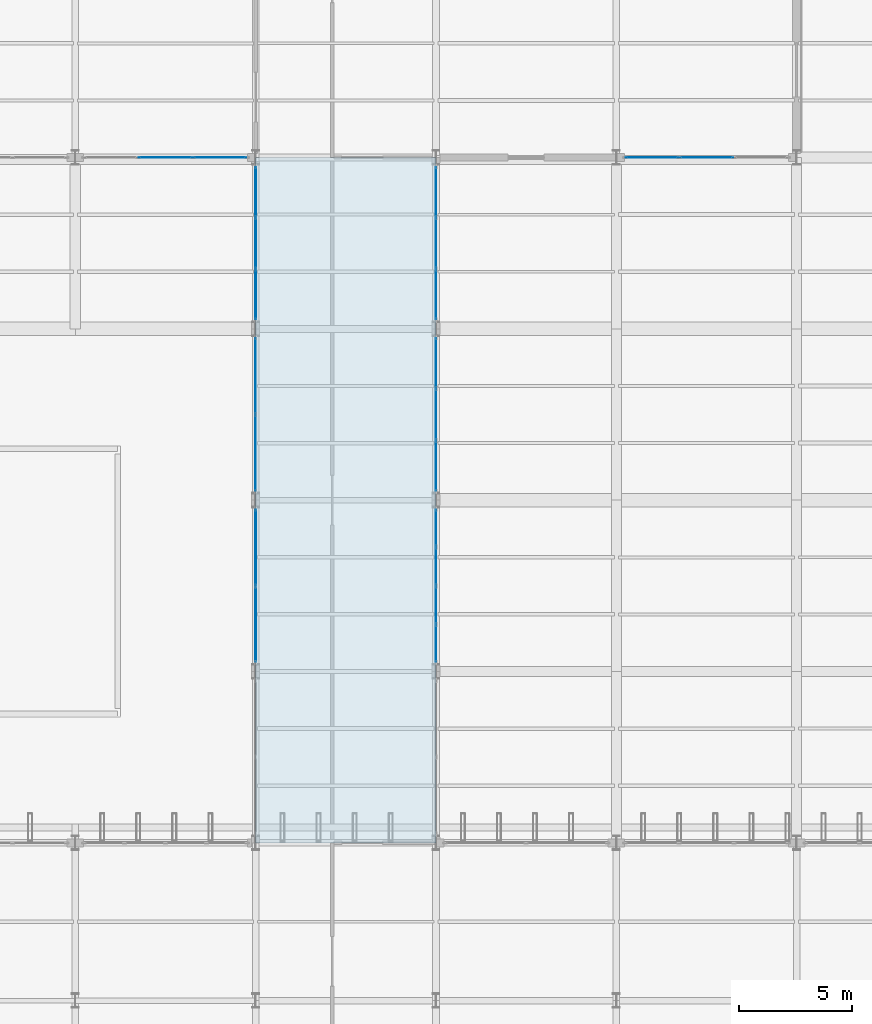
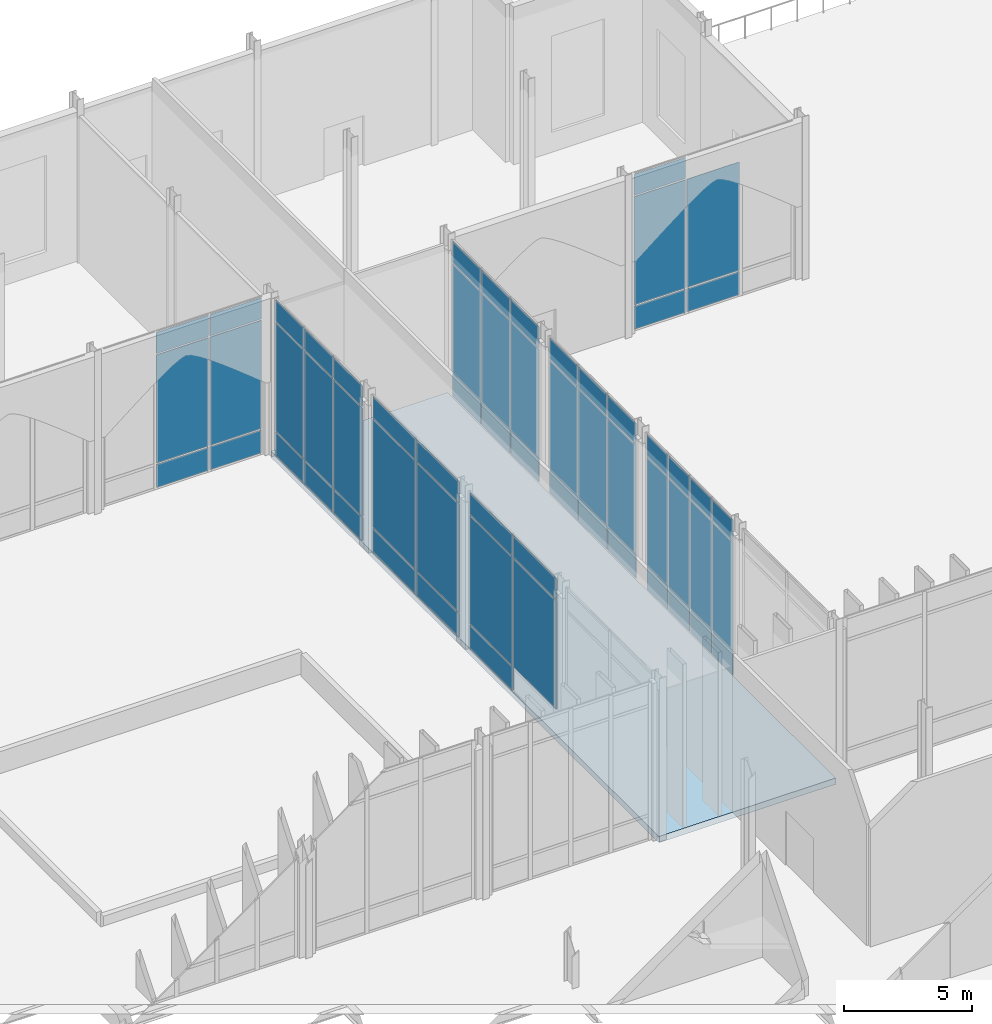
# One storey, part 121 of 176: 61 plates, 1 slab, 8 elements without a shape of their own.
"""IFC4 building model written with IfcOpenShell, lengths in metres."""

from ifc_helpers import new_model, si_unit, direction, frame, origin, origin_2d, place, context, subcontext, project, spatial, polyline, rectangle, outline, extrude, material, layer, layer_set, type_object, element, aggregate, save


model = new_model("IFC4")

# Units and contexts
model_context = context("Model", 3, precision=1e-05, world=origin(), true_north=direction((0.0, 1.0)))
body_context = subcontext(model_context, "Body", "Model", "MODEL_VIEW")
ifc_project = project(units=[si_unit("LENGTHUNIT", "METRE"), si_unit("AREAUNIT", "SQUARE_METRE"), si_unit("VOLUMEUNIT", "CUBIC_METRE"), si_unit("PLANEANGLEUNIT", "RADIAN"), si_unit("MASSUNIT", "GRAM", prefix="KILO")], contexts=[model_context])

# Site, building, storey
site_placement = place(None, origin())
site = spatial("IfcSite", under=ifc_project, at=site_placement, CompositionType="ELEMENT")
building_placement = place(site_placement, origin())
building = spatial("IfcBuilding", under=site, at=building_placement, Name="Vekula Escarpment Museum", CompositionType="ELEMENT")
storey_placement = place(building_placement, origin())
storey = spatial("IfcBuildingStorey", under=building, at=storey_placement, Name="L01", CompositionType="ELEMENT", Elevation=0.0)

# Curtain wall, plates
ifc_material_1 = material(Name="Aluminium thermally broken framing", Category="aluminium")
ifc_layer_1 = layer(ifc_material_1, 0.159912109375)
ifc_layer_set_1 = layer_set([ifc_layer_1], Name="Aluminium thermally broken framing")
curtain_wall_type_1 = type_object("IfcCurtainWallType", Name="CW-SYS-02", PredefinedType="NOTDEFINED", material=ifc_layer_set_1)
curtain_wall_1_placement = place(storey_placement, origin())
curtain_wall_1 = element("IfcCurtainWall", 1, at=curtain_wall_1_placement, inside=storey, type_object=curtain_wall_type_1, Name="Curtain Wall CW-L01-032", PredefinedType="NOTDEFINED")
ifc_material_2 = material(Name="Double solar-control low-E glass", Category="glass")
ifc_layer_2 = layer(ifc_material_2, 0.028076171875)
ifc_layer_set_2 = layer_set([ifc_layer_2], Name="Double solar-control low-E glass")
plate_type_1 = type_object("IfcPlateType", Name="CW-PNL-28", PredefinedType="CURTAIN_PANEL", material=ifc_layer_set_2)
plate_1_placement = place(storey_placement, frame((111.589599609375, 120.800048828125, 0.06494140625), z_axis=(0.0, 0.0, 1.0), x_axis=(1.0, 0.0, 0.0)))
plate_1 = element("IfcPlate", 2, at=plate_1_placement, type_object=plate_type_1, Name="CW-02 panel 1.1", PredefinedType="CURTAIN_PANEL", context=body_context, shape_type="SweptSolid", body=[
    extrude(rectangle(XDim=2.3291015625, YDim=0.028076171875, at=origin_2d()), origin(), (0.0, 0.0, 1.0), 1.1025390625),
])
plate_2_placement = place(storey_placement, frame((111.589599609375, 120.800048828125, 1.232421875), z_axis=(0.0, 0.0, 1.0), x_axis=(1.0, 0.0, 0.0)))
plate_2 = element("IfcPlate", 3, at=plate_2_placement, type_object=plate_type_1, Name="CW-02 panel 1.2", PredefinedType="CURTAIN_PANEL", context=body_context, shape_type="SweptSolid", body=[
    extrude(rectangle(XDim=2.3291015625, YDim=0.028076171875, at=origin_2d()), origin(), (0.0, 0.0, 1.0), 5.175048828125),
])
plate_3_placement = place(storey_placement, frame((111.589599609375, 120.800048828125, 6.472412109375), z_axis=(0.0, 0.0, 1.0), x_axis=(1.0, 0.0, 0.0)))
plate_3 = element("IfcPlate", 4, at=plate_3_placement, type_object=plate_type_1, Name="CW-02 panel 1.3", PredefinedType="CURTAIN_PANEL", context=body_context, shape_type="SweptSolid", body=[
    extrude(rectangle(XDim=2.3291015625, YDim=0.028076171875, at=origin_2d()), origin(), (0.0, 0.0, 1.0), 1.00244140625),
])
plate_4_placement = place(storey_placement, frame((114.0, 120.800048828125, 0.06494140625), z_axis=(0.0, 0.0, 1.0), x_axis=(1.0, 0.0, 0.0)))
plate_4 = element("IfcPlate", 5, at=plate_4_placement, type_object=plate_type_1, Name="CW-02 panel 2.1", PredefinedType="CURTAIN_PANEL", context=body_context, shape_type="SweptSolid", body=[
    extrude(rectangle(XDim=2.361572265625, YDim=0.028076171875, at=origin_2d()), origin(), (0.0, 0.0, 1.0), 1.1025390625),
])
plate_5_placement = place(storey_placement, frame((114.0, 120.800048828125, 1.232421875), z_axis=(0.0, 0.0, 1.0), x_axis=(1.0, 0.0, 0.0)))
plate_5 = element("IfcPlate", 6, at=plate_5_placement, type_object=plate_type_1, Name="CW-02 panel 2.2", PredefinedType="CURTAIN_PANEL", context=body_context, shape_type="SweptSolid", body=[
    extrude(rectangle(XDim=2.361572265625, YDim=0.028076171875, at=origin_2d()), origin(), (0.0, 0.0, 1.0), 5.175048828125),
])
aggregate(curtain_wall_1, [plate_1, plate_2, plate_3, plate_4, plate_5])

ifc_material_3 = material(Name="Aluminium thermally broken framing", Category="aluminium")
ifc_layer_3 = layer(ifc_material_3, 0.139892578125)
ifc_layer_set_3 = layer_set([ifc_layer_3], Name="Aluminium thermally broken framing")
curtain_wall_type_2 = type_object("IfcCurtainWallType", Name="CW-SYS-06", PredefinedType="NOTDEFINED", material=ifc_layer_set_3)
curtain_wall_2_placement = place(storey_placement, origin())
curtain_wall_2 = element("IfcCurtainWall", 7, at=curtain_wall_2_placement, inside=storey, type_object=curtain_wall_type_2, Name="Curtain Wall CW-L01-036", PredefinedType="NOTDEFINED")
plate_6_placement = place(storey_placement, frame((94.0, 111.103759765625, 0.06494140625), z_axis=(0.0, 0.0, 1.0), x_axis=(0.0, -1.0, 0.0)))
plate_6 = element("IfcPlate", 8, at=plate_6_placement, type_object=plate_type_1, Name="CW-06 panel 1.1", PredefinedType="CURTAIN_PANEL", context=body_context, shape_type="SweptSolid", body=[
    extrude(rectangle(XDim=3.342529296875, YDim=0.028076171875, at=origin_2d()), origin(), (0.0, 0.0, 1.0), 1.1025390625),
])
plate_7_placement = place(storey_placement, frame((94.0, 111.103759765625, 1.232421875), z_axis=(0.0, 0.0, 1.0), x_axis=(0.0, -1.0, 0.0)))
plate_7 = element("IfcPlate", 9, at=plate_7_placement, type_object=plate_type_1, Name="CW-06 panel 1.2", PredefinedType="CURTAIN_PANEL", context=body_context, shape_type="SweptSolid", body=[
    extrude(rectangle(XDim=3.342529296875, YDim=0.028076171875, at=origin_2d()), origin(), (0.0, 0.0, 1.0), 5.175048828125),
])
plate_8_placement = place(storey_placement, frame((94.0, 111.103759765625, 6.472412109375), z_axis=(0.0, 0.0, 1.0), x_axis=(0.0, -1.0, 0.0)))
plate_8 = element("IfcPlate", 10, at=plate_8_placement, type_object=plate_type_1, Name="CW-06 panel 1.3", PredefinedType="CURTAIN_PANEL", context=body_context, shape_type="SweptSolid", body=[
    extrude(rectangle(XDim=3.342529296875, YDim=0.028076171875, at=origin_2d()), origin(), (0.0, 0.0, 1.0), 1.00244140625),
])
plate_9_placement = place(storey_placement, frame((94.0, 107.6962890625, 0.06494140625), z_axis=(0.0, 0.0, 1.0), x_axis=(0.0, -1.0, 0.0)))
plate_9 = element("IfcPlate", 11, at=plate_9_placement, type_object=plate_type_1, Name="CW-06 panel 2.1", PredefinedType="CURTAIN_PANEL", context=body_context, shape_type="SweptSolid", body=[
    extrude(rectangle(XDim=3.342529296875, YDim=0.028076171875, at=origin_2d()), origin(), (0.0, 0.0, 1.0), 1.1025390625),
])
plate_10_placement = place(storey_placement, frame((94.0, 107.6962890625, 1.232421875), z_axis=(0.0, 0.0, 1.0), x_axis=(0.0, -1.0, 0.0)))
plate_10 = element("IfcPlate", 12, at=plate_10_placement, type_object=plate_type_1, Name="CW-06 panel 2.2", PredefinedType="CURTAIN_PANEL", context=body_context, shape_type="SweptSolid", body=[
    extrude(rectangle(XDim=3.342529296875, YDim=0.028076171875, at=origin_2d()), origin(), (0.0, 0.0, 1.0), 5.175048828125),
])
plate_11_placement = place(storey_placement, frame((94.0, 107.6962890625, 6.472412109375), z_axis=(0.0, 0.0, 1.0), x_axis=(0.0, -1.0, 0.0)))
plate_11 = element("IfcPlate", 13, at=plate_11_placement, type_object=plate_type_1, Name="CW-06 panel 2.3", PredefinedType="CURTAIN_PANEL", context=body_context, shape_type="SweptSolid", body=[
    extrude(rectangle(XDim=3.342529296875, YDim=0.028076171875, at=origin_2d()), origin(), (0.0, 0.0, 1.0), 1.00244140625),
])
aggregate(curtain_wall_2, [plate_6, plate_7, plate_8, plate_9, plate_10, plate_11])

ifc_material_4 = material(Name="Aluminium thermally broken framing", Category="aluminium")
ifc_layer_4 = layer(ifc_material_4, 0.14990234375)
ifc_layer_set_4 = layer_set([ifc_layer_4], Name="Aluminium thermally broken framing")
curtain_wall_type_3 = type_object("IfcCurtainWallType", Name="CW-SYS-09", PredefinedType="NOTDEFINED", material=ifc_layer_set_4)
curtain_wall_3_placement = place(storey_placement, origin())
curtain_wall_3 = element("IfcCurtainWall", 14, at=curtain_wall_3_placement, inside=storey, type_object=curtain_wall_type_3, Name="Curtain Wall CW-L01-029", PredefinedType="NOTDEFINED")
ifc_material_5 = material(Name="Acoustic laminated double low-E glass", Category="glass")
ifc_layer_5 = layer(ifc_material_5, 0.031982421875)
ifc_layer_set_5 = layer_set([ifc_layer_5], Name="Acoustic laminated double low-E glass")
plate_type_2 = type_object("IfcPlateType", Name="CW-PNL-32", PredefinedType="CURTAIN_PANEL", material=ifc_layer_set_5)
plate_12_placement = place(storey_placement, frame((102.0, 99.236328125, 0.06494140625), z_axis=(0.0, 0.0, 1.0), x_axis=(0.0, 1.0, 0.0)))
plate_12 = element("IfcPlate", 15, at=plate_12_placement, type_object=plate_type_2, Name="CW-09 panel 1.1", PredefinedType="CURTAIN_PANEL", context=body_context, shape_type="SweptSolid", body=[
    extrude(rectangle(XDim=1.62255859375, YDim=0.031982421875, at=origin_2d()), origin(), (0.0, 0.0, 1.0), 1.1025390625),
])
plate_13_placement = place(storey_placement, frame((102.0, 99.236328125, 1.232421875), z_axis=(0.0, 0.0, 1.0), x_axis=(0.0, 1.0, 0.0)))
plate_13 = element("IfcPlate", 16, at=plate_13_placement, type_object=plate_type_2, Name="CW-09 panel 1.2", PredefinedType="CURTAIN_PANEL", context=body_context, shape_type="SweptSolid", body=[
    extrude(rectangle(XDim=1.62255859375, YDim=0.031982421875, at=origin_2d()), origin(), (0.0, 0.0, 1.0), 5.175048828125),
])
plate_14_placement = place(storey_placement, frame((102.0, 99.236328125, 6.472412109375), z_axis=(0.0, 0.0, 1.0), x_axis=(0.0, 1.0, 0.0)))
plate_14 = element("IfcPlate", 17, at=plate_14_placement, type_object=plate_type_2, Name="CW-09 panel 1.3", PredefinedType="CURTAIN_PANEL", context=body_context, shape_type="SweptSolid", body=[
    extrude(rectangle(XDim=1.62255859375, YDim=0.031982421875, at=origin_2d()), origin(), (0.0, 0.0, 1.0), 1.00244140625),
])
plate_15_placement = place(storey_placement, frame((102.0, 100.93994140625, 0.06494140625), z_axis=(0.0, 0.0, 1.0), x_axis=(0.0, 1.0, 0.0)))
plate_15 = element("IfcPlate", 18, at=plate_15_placement, type_object=plate_type_2, Name="CW-09 panel 2.1", PredefinedType="CURTAIN_PANEL", context=body_context, shape_type="SweptSolid", body=[
    extrude(rectangle(XDim=1.655029296875, YDim=0.031982421875, at=origin_2d()), origin(), (0.0, 0.0, 1.0), 1.1025390625),
])
plate_16_placement = place(storey_placement, frame((102.0, 100.93994140625, 1.232421875), z_axis=(0.0, 0.0, 1.0), x_axis=(0.0, 1.0, 0.0)))
plate_16 = element("IfcPlate", 19, at=plate_16_placement, type_object=plate_type_2, Name="CW-09 panel 2.2", PredefinedType="CURTAIN_PANEL", context=body_context, shape_type="SweptSolid", body=[
    extrude(rectangle(XDim=1.655029296875, YDim=0.031982421875, at=origin_2d()), origin(), (0.0, 0.0, 1.0), 5.175048828125),
])
plate_17_placement = place(storey_placement, frame((102.0, 100.93994140625, 6.472412109375), z_axis=(0.0, 0.0, 1.0), x_axis=(0.0, 1.0, 0.0)))
plate_17 = element("IfcPlate", 20, at=plate_17_placement, type_object=plate_type_2, Name="CW-09 panel 2.3", PredefinedType="CURTAIN_PANEL", context=body_context, shape_type="SweptSolid", body=[
    extrude(rectangle(XDim=1.655029296875, YDim=0.031982421875, at=origin_2d()), origin(), (0.0, 0.0, 1.0), 1.00244140625),
])
plate_18_placement = place(storey_placement, frame((102.0, 102.659912109375, 0.06494140625), z_axis=(0.0, 0.0, 1.0), x_axis=(0.0, 1.0, 0.0)))
plate_18 = element("IfcPlate", 21, at=plate_18_placement, type_object=plate_type_2, Name="CW-09 panel 3.1", PredefinedType="CURTAIN_PANEL", context=body_context, shape_type="SweptSolid", body=[
    extrude(rectangle(XDim=1.655029296875, YDim=0.031982421875, at=origin_2d()), origin(), (0.0, 0.0, 1.0), 1.1025390625),
])
plate_19_placement = place(storey_placement, frame((102.0, 102.659912109375, 1.232421875), z_axis=(0.0, 0.0, 1.0), x_axis=(0.0, 1.0, 0.0)))
plate_19 = element("IfcPlate", 22, at=plate_19_placement, type_object=plate_type_2, Name="CW-09 panel 3.2", PredefinedType="CURTAIN_PANEL", context=body_context, shape_type="SweptSolid", body=[
    extrude(rectangle(XDim=1.655029296875, YDim=0.031982421875, at=origin_2d()), origin(), (0.0, 0.0, 1.0), 5.175048828125),
])
plate_20_placement = place(storey_placement, frame((102.0, 102.659912109375, 6.472412109375), z_axis=(0.0, 0.0, 1.0), x_axis=(0.0, 1.0, 0.0)))
plate_20 = element("IfcPlate", 23, at=plate_20_placement, type_object=plate_type_2, Name="CW-09 panel 3.3", PredefinedType="CURTAIN_PANEL", context=body_context, shape_type="SweptSolid", body=[
    extrude(rectangle(XDim=1.655029296875, YDim=0.031982421875, at=origin_2d()), origin(), (0.0, 0.0, 1.0), 1.00244140625),
])
plate_21_placement = place(storey_placement, frame((102.0, 104.36376953125, 0.06494140625), z_axis=(0.0, 0.0, 1.0), x_axis=(0.0, 1.0, 0.0)))
plate_21 = element("IfcPlate", 24, at=plate_21_placement, type_object=plate_type_2, Name="CW-09 panel 4.1", PredefinedType="CURTAIN_PANEL", context=body_context, shape_type="SweptSolid", body=[
    extrude(rectangle(XDim=1.62255859375, YDim=0.031982421875, at=origin_2d()), origin(), (0.0, 0.0, 1.0), 1.1025390625),
])
plate_22_placement = place(storey_placement, frame((102.0, 104.36376953125, 1.232421875), z_axis=(0.0, 0.0, 1.0), x_axis=(0.0, 1.0, 0.0)))
plate_22 = element("IfcPlate", 25, at=plate_22_placement, type_object=plate_type_2, Name="CW-09 panel 4.2", PredefinedType="CURTAIN_PANEL", context=body_context, shape_type="SweptSolid", body=[
    extrude(rectangle(XDim=1.62255859375, YDim=0.031982421875, at=origin_2d()), origin(), (0.0, 0.0, 1.0), 5.175048828125),
])
plate_23_placement = place(storey_placement, frame((102.0, 104.36376953125, 6.472412109375), z_axis=(0.0, 0.0, 1.0), x_axis=(0.0, 1.0, 0.0)))
plate_23 = element("IfcPlate", 26, at=plate_23_placement, type_object=plate_type_2, Name="CW-09 panel 4.3", PredefinedType="CURTAIN_PANEL", context=body_context, shape_type="SweptSolid", body=[
    extrude(rectangle(XDim=1.62255859375, YDim=0.031982421875, at=origin_2d()), origin(), (0.0, 0.0, 1.0), 1.00244140625),
])
aggregate(curtain_wall_3, [plate_12, plate_13, plate_14, plate_15, plate_16, plate_17, plate_18, plate_19, plate_20, plate_21, plate_22, plate_23])

ifc_material_6 = material(Name="Aluminium thermally broken framing", Category="aluminium")
ifc_layer_6 = layer(ifc_material_6, 0.179931640625)
ifc_layer_set_6 = layer_set([ifc_layer_6], Name="Aluminium thermally broken framing")
curtain_wall_type_4 = type_object("IfcCurtainWallType", Name="CW-SYS-07", PredefinedType="NOTDEFINED", material=ifc_layer_set_6)
curtain_wall_4_placement = place(storey_placement, origin())
curtain_wall_4 = element("IfcCurtainWall", 27, at=curtain_wall_4_placement, inside=storey, type_object=curtain_wall_type_4, Name="Curtain Wall CW-L01-037", PredefinedType="NOTDEFINED")
plate_24_placement = place(storey_placement, frame((94.0, 103.503662109375, 0.06494140625), z_axis=(0.0, 0.0, 1.0), x_axis=(0.0, -1.0, 0.0)))
plate_24 = element("IfcPlate", 28, at=plate_24_placement, type_object=plate_type_2, Name="CW-07 panel 1.1", PredefinedType="CURTAIN_PANEL", context=body_context, shape_type="SweptSolid", body=[
    extrude(rectangle(XDim=3.342529296875, YDim=0.031982421875, at=origin_2d()), origin(), (0.0, 0.0, 1.0), 1.1025390625),
])
plate_25_placement = place(storey_placement, frame((94.0, 103.503662109375, 1.232421875), z_axis=(0.0, 0.0, 1.0), x_axis=(0.0, -1.0, 0.0)))
plate_25 = element("IfcPlate", 29, at=plate_25_placement, type_object=plate_type_2, Name="CW-07 panel 1.2", PredefinedType="CURTAIN_PANEL", context=body_context, shape_type="SweptSolid", body=[
    extrude(rectangle(XDim=3.342529296875, YDim=0.031982421875, at=origin_2d()), origin(), (0.0, 0.0, 1.0), 5.175048828125),
])
plate_26_placement = place(storey_placement, frame((94.0, 103.503662109375, 6.472412109375), z_axis=(0.0, 0.0, 1.0), x_axis=(0.0, -1.0, 0.0)))
plate_26 = element("IfcPlate", 30, at=plate_26_placement, type_object=plate_type_2, Name="CW-07 panel 1.3", PredefinedType="CURTAIN_PANEL", context=body_context, shape_type="SweptSolid", body=[
    extrude(rectangle(XDim=3.342529296875, YDim=0.031982421875, at=origin_2d()), origin(), (0.0, 0.0, 1.0), 1.00244140625),
])
plate_27_placement = place(storey_placement, frame((94.0, 100.09619140625, 1.232421875), z_axis=(0.0, 0.0, 1.0), x_axis=(0.0, -1.0, 0.0)))
plate_27 = element("IfcPlate", 31, at=plate_27_placement, type_object=plate_type_2, Name="CW-07 panel 2.2", PredefinedType="CURTAIN_PANEL", context=body_context, shape_type="SweptSolid", body=[
    extrude(rectangle(XDim=3.342529296875, YDim=0.031982421875, at=origin_2d()), origin(), (0.0, 0.0, 1.0), 5.175048828125),
])
plate_28_placement = place(storey_placement, frame((94.0, 100.09619140625, 6.472412109375), z_axis=(0.0, 0.0, 1.0), x_axis=(0.0, -1.0, 0.0)))
plate_28 = element("IfcPlate", 32, at=plate_28_placement, type_object=plate_type_2, Name="CW-07 panel 2.3", PredefinedType="CURTAIN_PANEL", context=body_context, shape_type="SweptSolid", body=[
    extrude(rectangle(XDim=3.342529296875, YDim=0.031982421875, at=origin_2d()), origin(), (0.0, 0.0, 1.0), 1.00244140625),
])
aggregate(curtain_wall_4, [plate_24, plate_25, plate_26, plate_27, plate_28])

ifc_material_7 = material(Name="Aluminium thermally broken framing", Category="aluminium")
ifc_layer_7 = layer(ifc_material_7, 0.169921875)
ifc_layer_set_7 = layer_set([ifc_layer_7], Name="Aluminium thermally broken framing")
curtain_wall_type_5 = type_object("IfcCurtainWallType", Name="CW-SYS-10", PredefinedType="NOTDEFINED", material=ifc_layer_set_7)
curtain_wall_5_placement = place(storey_placement, origin())
curtain_wall_5 = element("IfcCurtainWall", 33, at=curtain_wall_5_placement, inside=storey, type_object=curtain_wall_type_5, Name="Curtain Wall CW-L01-030", PredefinedType="NOTDEFINED")
ifc_material_8 = material(Name="Triple UV-filtered museum gallery glass", Category="glass")
ifc_layer_8 = layer(ifc_material_8, 0.035888671875)
ifc_layer_set_8 = layer_set([ifc_layer_8], Name="Triple UV-filtered museum gallery glass")
plate_type_3 = type_object("IfcPlateType", Name="CW-PNL-36", PredefinedType="CURTAIN_PANEL", material=ifc_layer_set_8)
plate_29_placement = place(storey_placement, frame((102.0, 107.122802734375, 0.06494140625), z_axis=(0.0, 0.0, 1.0), x_axis=(0.0, 1.0, 0.0)))
plate_29 = element("IfcPlate", 34, at=plate_29_placement, type_object=plate_type_3, Name="CW-10 panel 1.1", PredefinedType="CURTAIN_PANEL", context=body_context, shape_type="SweptSolid", body=[
    extrude(rectangle(XDim=2.19580078125, YDim=0.035888671875, at=origin_2d()), origin(), (0.0, 0.0, 1.0), 1.1025390625),
])
plate_30_placement = place(storey_placement, frame((102.0, 107.122802734375, 1.232421875), z_axis=(0.0, 0.0, 1.0), x_axis=(0.0, 1.0, 0.0)))
plate_30 = element("IfcPlate", 35, at=plate_30_placement, type_object=plate_type_3, Name="CW-10 panel 1.2", PredefinedType="CURTAIN_PANEL", context=body_context, shape_type="SweptSolid", body=[
    extrude(rectangle(XDim=2.19580078125, YDim=0.035888671875, at=origin_2d()), origin(), (0.0, 0.0, 1.0), 5.175048828125),
])
plate_31_placement = place(storey_placement, frame((102.0, 107.122802734375, 6.472412109375), z_axis=(0.0, 0.0, 1.0), x_axis=(0.0, 1.0, 0.0)))
plate_31 = element("IfcPlate", 36, at=plate_31_placement, type_object=plate_type_3, Name="CW-10 panel 1.3", PredefinedType="CURTAIN_PANEL", context=body_context, shape_type="SweptSolid", body=[
    extrude(rectangle(XDim=2.19580078125, YDim=0.035888671875, at=origin_2d()), origin(), (0.0, 0.0, 1.0), 1.00244140625),
])
plate_32_placement = place(storey_placement, frame((102.0, 109.39990234375, 0.06494140625), z_axis=(0.0, 0.0, 1.0), x_axis=(0.0, 1.0, 0.0)))
plate_32 = element("IfcPlate", 37, at=plate_32_placement, type_object=plate_type_3, Name="CW-10 panel 2.1", PredefinedType="CURTAIN_PANEL", context=body_context, shape_type="SweptSolid", body=[
    extrude(rectangle(XDim=2.228271484375, YDim=0.035888671875, at=origin_2d()), origin(), (0.0, 0.0, 1.0), 1.1025390625),
])
plate_33_placement = place(storey_placement, frame((102.0, 109.39990234375, 1.232421875), z_axis=(0.0, 0.0, 1.0), x_axis=(0.0, 1.0, 0.0)))
plate_33 = element("IfcPlate", 38, at=plate_33_placement, type_object=plate_type_3, Name="CW-10 panel 2.2", PredefinedType="CURTAIN_PANEL", context=body_context, shape_type="SweptSolid", body=[
    extrude(rectangle(XDim=2.228271484375, YDim=0.035888671875, at=origin_2d()), origin(), (0.0, 0.0, 1.0), 5.175048828125),
])
plate_34_placement = place(storey_placement, frame((102.0, 109.39990234375, 6.472412109375), z_axis=(0.0, 0.0, 1.0), x_axis=(0.0, 1.0, 0.0)))
plate_34 = element("IfcPlate", 39, at=plate_34_placement, type_object=plate_type_3, Name="CW-10 panel 2.3", PredefinedType="CURTAIN_PANEL", context=body_context, shape_type="SweptSolid", body=[
    extrude(rectangle(XDim=2.228271484375, YDim=0.035888671875, at=origin_2d()), origin(), (0.0, 0.0, 1.0), 1.00244140625),
])
plate_35_placement = place(storey_placement, frame((102.0, 111.677001953125, 0.06494140625), z_axis=(0.0, 0.0, 1.0), x_axis=(0.0, 1.0, 0.0)))
plate_35 = element("IfcPlate", 40, at=plate_35_placement, type_object=plate_type_3, Name="CW-10 panel 3.1", PredefinedType="CURTAIN_PANEL", context=body_context, shape_type="SweptSolid", body=[
    extrude(rectangle(XDim=2.19580078125, YDim=0.035888671875, at=origin_2d()), origin(), (0.0, 0.0, 1.0), 1.1025390625),
])
plate_36_placement = place(storey_placement, frame((102.0, 111.677001953125, 1.232421875), z_axis=(0.0, 0.0, 1.0), x_axis=(0.0, 1.0, 0.0)))
plate_36 = element("IfcPlate", 41, at=plate_36_placement, type_object=plate_type_3, Name="CW-10 panel 3.2", PredefinedType="CURTAIN_PANEL", context=body_context, shape_type="SweptSolid", body=[
    extrude(rectangle(XDim=2.19580078125, YDim=0.035888671875, at=origin_2d()), origin(), (0.0, 0.0, 1.0), 5.175048828125),
])
plate_37_placement = place(storey_placement, frame((102.0, 111.677001953125, 6.472412109375), z_axis=(0.0, 0.0, 1.0), x_axis=(0.0, 1.0, 0.0)))
plate_37 = element("IfcPlate", 42, at=plate_37_placement, type_object=plate_type_3, Name="CW-10 panel 3.3", PredefinedType="CURTAIN_PANEL", context=body_context, shape_type="SweptSolid", body=[
    extrude(rectangle(XDim=2.19580078125, YDim=0.035888671875, at=origin_2d()), origin(), (0.0, 0.0, 1.0), 1.00244140625),
])
aggregate(curtain_wall_5, [plate_29, plate_30, plate_31, plate_32, plate_33, plate_34, plate_35, plate_36, plate_37])

ifc_material_9 = material(Name="Aluminium thermally broken framing", Category="aluminium")
ifc_layer_9 = layer(ifc_material_9, 0.199951171875)
ifc_layer_set_9 = layer_set([ifc_layer_9], Name="Aluminium thermally broken framing")
curtain_wall_type_6 = type_object("IfcCurtainWallType", Name="CW-SYS-04", PredefinedType="NOTDEFINED", material=ifc_layer_set_9)
curtain_wall_6_placement = place(storey_placement, origin())
curtain_wall_6 = element("IfcCurtainWall", 43, at=curtain_wall_6_placement, inside=storey, type_object=curtain_wall_type_6, Name="Curtain Wall CW-L01-034", PredefinedType="NOTDEFINED")
plate_38_placement = place(storey_placement, frame((90.0, 120.800048828125, 0.06494140625), z_axis=(0.0, 0.0, 1.0), x_axis=(1.0, 0.0, 0.0)))
plate_38 = element("IfcPlate", 44, at=plate_38_placement, type_object=plate_type_3, Name="CW-04 panel 2.1", PredefinedType="CURTAIN_PANEL", context=body_context, shape_type="SweptSolid", body=[
    extrude(rectangle(XDim=2.361572265625, YDim=0.035888671875, at=origin_2d()), origin(), (0.0, 0.0, 1.0), 1.1025390625),
])
plate_39_placement = place(storey_placement, frame((90.0, 120.800048828125, 1.232421875), z_axis=(0.0, 0.0, 1.0), x_axis=(1.0, 0.0, 0.0)))
plate_39 = element("IfcPlate", 45, at=plate_39_placement, type_object=plate_type_3, Name="CW-04 panel 2.2", PredefinedType="CURTAIN_PANEL", context=body_context, shape_type="SweptSolid", body=[
    extrude(rectangle(XDim=2.361572265625, YDim=0.035888671875, at=origin_2d()), origin(), (0.0, 0.0, 1.0), 5.175048828125),
])
plate_40_placement = place(storey_placement, frame((90.0, 120.800048828125, 6.472412109375), z_axis=(0.0, 0.0, 1.0), x_axis=(1.0, 0.0, 0.0)))
plate_40 = element("IfcPlate", 46, at=plate_40_placement, type_object=plate_type_3, Name="CW-04 panel 2.3", PredefinedType="CURTAIN_PANEL", context=body_context, shape_type="SweptSolid", body=[
    extrude(rectangle(XDim=2.361572265625, YDim=0.035888671875, at=origin_2d()), origin(), (0.0, 0.0, 1.0), 1.00244140625),
])
plate_41_placement = place(storey_placement, frame((92.410400390625, 120.800048828125, 0.06494140625), z_axis=(0.0, 0.0, 1.0), x_axis=(1.0, 0.0, 0.0)))
plate_41 = element("IfcPlate", 47, at=plate_41_placement, type_object=plate_type_3, Name="CW-04 panel 3.1", PredefinedType="CURTAIN_PANEL", context=body_context, shape_type="SweptSolid", body=[
    extrude(rectangle(XDim=2.3291015625, YDim=0.035888671875, at=origin_2d()), origin(), (0.0, 0.0, 1.0), 1.1025390625),
])
plate_42_placement = place(storey_placement, frame((92.410400390625, 120.800048828125, 1.232421875), z_axis=(0.0, 0.0, 1.0), x_axis=(1.0, 0.0, 0.0)))
plate_42 = element("IfcPlate", 48, at=plate_42_placement, type_object=plate_type_3, Name="CW-04 panel 3.2", PredefinedType="CURTAIN_PANEL", context=body_context, shape_type="SweptSolid", body=[
    extrude(rectangle(XDim=2.3291015625, YDim=0.035888671875, at=origin_2d()), origin(), (0.0, 0.0, 1.0), 5.175048828125),
])
plate_43_placement = place(storey_placement, frame((92.410400390625, 120.800048828125, 6.472412109375), z_axis=(0.0, 0.0, 1.0), x_axis=(1.0, 0.0, 0.0)))
plate_43 = element("IfcPlate", 49, at=plate_43_placement, type_object=plate_type_3, Name="CW-04 panel 3.3", PredefinedType="CURTAIN_PANEL", context=body_context, shape_type="SweptSolid", body=[
    extrude(rectangle(XDim=2.3291015625, YDim=0.035888671875, at=origin_2d()), origin(), (0.0, 0.0, 1.0), 1.00244140625),
])
aggregate(curtain_wall_6, [plate_38, plate_39, plate_40, plate_41, plate_42, plate_43])

ifc_material_10 = material(Name="Aluminium thermally broken framing", Category="aluminium")
ifc_layer_10 = layer(ifc_material_10, 0.159912109375)
ifc_layer_set_10 = layer_set([ifc_layer_10], Name="Aluminium thermally broken framing")
curtain_wall_type_7 = type_object("IfcCurtainWallType", Name="CW-SYS-01", PredefinedType="NOTDEFINED", material=ifc_layer_set_10)
curtain_wall_7_placement = place(storey_placement, origin())
curtain_wall_7 = element("IfcCurtainWall", 50, at=curtain_wall_7_placement, inside=storey, type_object=curtain_wall_type_7, Name="Curtain Wall CW-L01-031", PredefinedType="NOTDEFINED")
ifc_material_11 = material(Name="Insulated bronze spandrel glass panel", Category="glass")
ifc_layer_11 = layer(ifc_material_11, 0.0400390625)
ifc_layer_set_11 = layer_set([ifc_layer_11], Name="Insulated bronze spandrel glass panel")
plate_type_4 = type_object("IfcPlateType", Name="CW-PNL-40", PredefinedType="CURTAIN_PANEL", material=ifc_layer_set_11)
plate_44_placement = place(storey_placement, frame((102.0, 114.722900390625, 0.06494140625), z_axis=(0.0, 0.0, 1.0), x_axis=(0.0, 1.0, 0.0)))
plate_44 = element("IfcPlate", 51, at=plate_44_placement, type_object=plate_type_4, Name="CW-01 panel 1.1", PredefinedType="CURTAIN_PANEL", context=body_context, shape_type="SweptSolid", body=[
    extrude(rectangle(XDim=2.19580078125, YDim=0.0400390625, at=origin_2d()), origin(), (0.0, 0.0, 1.0), 1.1025390625),
])
plate_45_placement = place(storey_placement, frame((102.0, 114.722900390625, 1.232421875), z_axis=(0.0, 0.0, 1.0), x_axis=(0.0, 1.0, 0.0)))
plate_45 = element("IfcPlate", 52, at=plate_45_placement, type_object=plate_type_4, Name="CW-01 panel 1.2", PredefinedType="CURTAIN_PANEL", context=body_context, shape_type="SweptSolid", body=[
    extrude(rectangle(XDim=2.19580078125, YDim=0.0400390625, at=origin_2d()), origin(), (0.0, 0.0, 1.0), 5.175048828125),
])
plate_46_placement = place(storey_placement, frame((102.0, 114.722900390625, 6.472412109375), z_axis=(0.0, 0.0, 1.0), x_axis=(0.0, 1.0, 0.0)))
plate_46 = element("IfcPlate", 53, at=plate_46_placement, type_object=plate_type_4, Name="CW-01 panel 1.3", PredefinedType="CURTAIN_PANEL", context=body_context, shape_type="SweptSolid", body=[
    extrude(rectangle(XDim=2.19580078125, YDim=0.0400390625, at=origin_2d()), origin(), (0.0, 0.0, 1.0), 1.00244140625),
])
plate_47_placement = place(storey_placement, frame((102.0, 117.0, 0.06494140625), z_axis=(0.0, 0.0, 1.0), x_axis=(0.0, 1.0, 0.0)))
plate_47 = element("IfcPlate", 54, at=plate_47_placement, type_object=plate_type_4, Name="CW-01 panel 2.1", PredefinedType="CURTAIN_PANEL", context=body_context, shape_type="SweptSolid", body=[
    extrude(rectangle(XDim=2.228271484375, YDim=0.0400390625, at=origin_2d()), origin(), (0.0, 0.0, 1.0), 1.1025390625),
])
plate_48_placement = place(storey_placement, frame((102.0, 117.0, 1.232421875), z_axis=(0.0, 0.0, 1.0), x_axis=(0.0, 1.0, 0.0)))
plate_48 = element("IfcPlate", 55, at=plate_48_placement, type_object=plate_type_4, Name="CW-01 panel 2.2", PredefinedType="CURTAIN_PANEL", context=body_context, shape_type="SweptSolid", body=[
    extrude(rectangle(XDim=2.228271484375, YDim=0.0400390625, at=origin_2d()), origin(), (0.0, 0.0, 1.0), 5.175048828125),
])
plate_49_placement = place(storey_placement, frame((102.0, 117.0, 6.472412109375), z_axis=(0.0, 0.0, 1.0), x_axis=(0.0, 1.0, 0.0)))
plate_49 = element("IfcPlate", 56, at=plate_49_placement, type_object=plate_type_4, Name="CW-01 panel 2.3", PredefinedType="CURTAIN_PANEL", context=body_context, shape_type="SweptSolid", body=[
    extrude(rectangle(XDim=2.228271484375, YDim=0.0400390625, at=origin_2d()), origin(), (0.0, 0.0, 1.0), 1.00244140625),
])
plate_50_placement = place(storey_placement, frame((102.0, 119.277099609375, 0.06494140625), z_axis=(0.0, 0.0, 1.0), x_axis=(0.0, 1.0, 0.0)))
plate_50 = element("IfcPlate", 57, at=plate_50_placement, type_object=plate_type_4, Name="CW-01 panel 3.1", PredefinedType="CURTAIN_PANEL", context=body_context, shape_type="SweptSolid", body=[
    extrude(rectangle(XDim=2.19580078125, YDim=0.0400390625, at=origin_2d()), origin(), (0.0, 0.0, 1.0), 1.1025390625),
])
plate_51_placement = place(storey_placement, frame((102.0, 119.277099609375, 1.232421875), z_axis=(0.0, 0.0, 1.0), x_axis=(0.0, 1.0, 0.0)))
plate_51 = element("IfcPlate", 58, at=plate_51_placement, type_object=plate_type_4, Name="CW-01 panel 3.2", PredefinedType="CURTAIN_PANEL", context=body_context, shape_type="SweptSolid", body=[
    extrude(rectangle(XDim=2.19580078125, YDim=0.0400390625, at=origin_2d()), origin(), (0.0, 0.0, 1.0), 5.175048828125),
])
plate_52_placement = place(storey_placement, frame((102.0, 119.277099609375, 6.472412109375), z_axis=(0.0, 0.0, 1.0), x_axis=(0.0, 1.0, 0.0)))
plate_52 = element("IfcPlate", 59, at=plate_52_placement, type_object=plate_type_4, Name="CW-01 panel 3.3", PredefinedType="CURTAIN_PANEL", context=body_context, shape_type="SweptSolid", body=[
    extrude(rectangle(XDim=2.19580078125, YDim=0.0400390625, at=origin_2d()), origin(), (0.0, 0.0, 1.0), 1.00244140625),
])
aggregate(curtain_wall_7, [plate_44, plate_45, plate_46, plate_47, plate_48, plate_49, plate_50, plate_51, plate_52])

ifc_material_12 = material(Name="Aluminium thermally broken framing", Category="aluminium")
ifc_layer_12 = layer(ifc_material_12, 0.159912109375)
ifc_layer_set_12 = layer_set([ifc_layer_12], Name="Aluminium thermally broken framing")
curtain_wall_type_8 = type_object("IfcCurtainWallType", Name="CW-SYS-05", PredefinedType="NOTDEFINED", material=ifc_layer_set_12)
curtain_wall_8_placement = place(storey_placement, origin())
curtain_wall_8 = element("IfcCurtainWall", 60, at=curtain_wall_8_placement, inside=storey, type_object=curtain_wall_type_8, Name="Curtain Wall CW-L01-035", PredefinedType="NOTDEFINED")
plate_53_placement = place(storey_placement, frame((94.0, 119.277099609375, 0.06494140625), z_axis=(0.0, 0.0, 1.0), x_axis=(0.0, -1.0, 0.0)))
plate_53 = element("IfcPlate", 61, at=plate_53_placement, type_object=plate_type_4, Name="CW-05 panel 1.1", PredefinedType="CURTAIN_PANEL", context=body_context, shape_type="SweptSolid", body=[
    extrude(rectangle(XDim=2.19580078125, YDim=0.0400390625, at=origin_2d()), origin(), (0.0, 0.0, 1.0), 1.1025390625),
])
plate_54_placement = place(storey_placement, frame((94.0, 119.277099609375, 1.232421875), z_axis=(0.0, 0.0, 1.0), x_axis=(0.0, -1.0, 0.0)))
plate_54 = element("IfcPlate", 62, at=plate_54_placement, type_object=plate_type_4, Name="CW-05 panel 1.2", PredefinedType="CURTAIN_PANEL", context=body_context, shape_type="SweptSolid", body=[
    extrude(rectangle(XDim=2.19580078125, YDim=0.0400390625, at=origin_2d()), origin(), (0.0, 0.0, 1.0), 5.175048828125),
])
plate_55_placement = place(storey_placement, frame((94.0, 119.277099609375, 6.472412109375), z_axis=(0.0, 0.0, 1.0), x_axis=(0.0, -1.0, 0.0)))
plate_55 = element("IfcPlate", 63, at=plate_55_placement, type_object=plate_type_4, Name="CW-05 panel 1.3", PredefinedType="CURTAIN_PANEL", context=body_context, shape_type="SweptSolid", body=[
    extrude(rectangle(XDim=2.19580078125, YDim=0.0400390625, at=origin_2d()), origin(), (0.0, 0.0, 1.0), 1.00244140625),
])
plate_56_placement = place(storey_placement, frame((94.0, 117.0, 0.06494140625), z_axis=(0.0, 0.0, 1.0), x_axis=(0.0, -1.0, 0.0)))
plate_56 = element("IfcPlate", 64, at=plate_56_placement, type_object=plate_type_4, Name="CW-05 panel 2.1", PredefinedType="CURTAIN_PANEL", context=body_context, shape_type="SweptSolid", body=[
    extrude(rectangle(XDim=2.228271484375, YDim=0.0400390625, at=origin_2d()), origin(), (0.0, 0.0, 1.0), 1.1025390625),
])
plate_57_placement = place(storey_placement, frame((94.0, 117.0, 1.232421875), z_axis=(0.0, 0.0, 1.0), x_axis=(0.0, -1.0, 0.0)))
plate_57 = element("IfcPlate", 65, at=plate_57_placement, type_object=plate_type_4, Name="CW-05 panel 2.2", PredefinedType="CURTAIN_PANEL", context=body_context, shape_type="SweptSolid", body=[
    extrude(rectangle(XDim=2.228271484375, YDim=0.0400390625, at=origin_2d()), origin(), (0.0, 0.0, 1.0), 5.175048828125),
])
plate_58_placement = place(storey_placement, frame((94.0, 117.0, 6.472412109375), z_axis=(0.0, 0.0, 1.0), x_axis=(0.0, -1.0, 0.0)))
plate_58 = element("IfcPlate", 66, at=plate_58_placement, type_object=plate_type_4, Name="CW-05 panel 2.3", PredefinedType="CURTAIN_PANEL", context=body_context, shape_type="SweptSolid", body=[
    extrude(rectangle(XDim=2.228271484375, YDim=0.0400390625, at=origin_2d()), origin(), (0.0, 0.0, 1.0), 1.00244140625),
])
plate_59_placement = place(storey_placement, frame((94.0, 114.722900390625, 0.06494140625), z_axis=(0.0, 0.0, 1.0), x_axis=(0.0, -1.0, 0.0)))
plate_59 = element("IfcPlate", 67, at=plate_59_placement, type_object=plate_type_4, Name="CW-05 panel 3.1", PredefinedType="CURTAIN_PANEL", context=body_context, shape_type="SweptSolid", body=[
    extrude(rectangle(XDim=2.19580078125, YDim=0.0400390625, at=origin_2d()), origin(), (0.0, 0.0, 1.0), 1.1025390625),
])
plate_60_placement = place(storey_placement, frame((94.0, 114.722900390625, 1.232421875), z_axis=(0.0, 0.0, 1.0), x_axis=(0.0, -1.0, 0.0)))
plate_60 = element("IfcPlate", 68, at=plate_60_placement, type_object=plate_type_4, Name="CW-05 panel 3.2", PredefinedType="CURTAIN_PANEL", context=body_context, shape_type="SweptSolid", body=[
    extrude(rectangle(XDim=2.19580078125, YDim=0.0400390625, at=origin_2d()), origin(), (0.0, 0.0, 1.0), 5.175048828125),
])
plate_61_placement = place(storey_placement, frame((94.0, 114.722900390625, 6.472412109375), z_axis=(0.0, 0.0, 1.0), x_axis=(0.0, -1.0, 0.0)))
plate_61 = element("IfcPlate", 69, at=plate_61_placement, type_object=plate_type_4, Name="CW-05 panel 3.3", PredefinedType="CURTAIN_PANEL", context=body_context, shape_type="SweptSolid", body=[
    extrude(rectangle(XDim=2.19580078125, YDim=0.0400390625, at=origin_2d()), origin(), (0.0, 0.0, 1.0), 1.00244140625),
])
aggregate(curtain_wall_8, [plate_53, plate_54, plate_55, plate_56, plate_57, plate_58, plate_59, plate_60, plate_61])

# Slab
ifc_material_13 = material(Name="Concrete C35/45", Category="concrete")
ifc_layer_13 = layer(ifc_material_13, 0.300048828125)
ifc_layer_set_13 = layer_set([ifc_layer_13], Name="Concrete C35/45")
slab_type = type_object("IfcSlabType", Name="SL-FLR-300", PredefinedType="FLOOR", material=ifc_layer_set_13)
slab_placement = place(storey_placement, frame((0.0, 0.0, -0.300048828125)))
element("IfcSlab", 70, at=slab_placement, inside=storey, type_object=slab_type, Name="Floor Slab W-L01-V2-NLK", PredefinedType="FLOOR", context=body_context, shape_type="SweptSolid", body=[
    extrude(outline(polyline([(94.0, 90.39990234375), (102.0, 90.39990234375), (102.0, 120.800048828125), (94.0, 120.800048828125), (94.0, 90.39990234375)])), origin(), (0.0, 0.0, 1.0), 0.300048828125),
])

save(model, "model.ifc")
